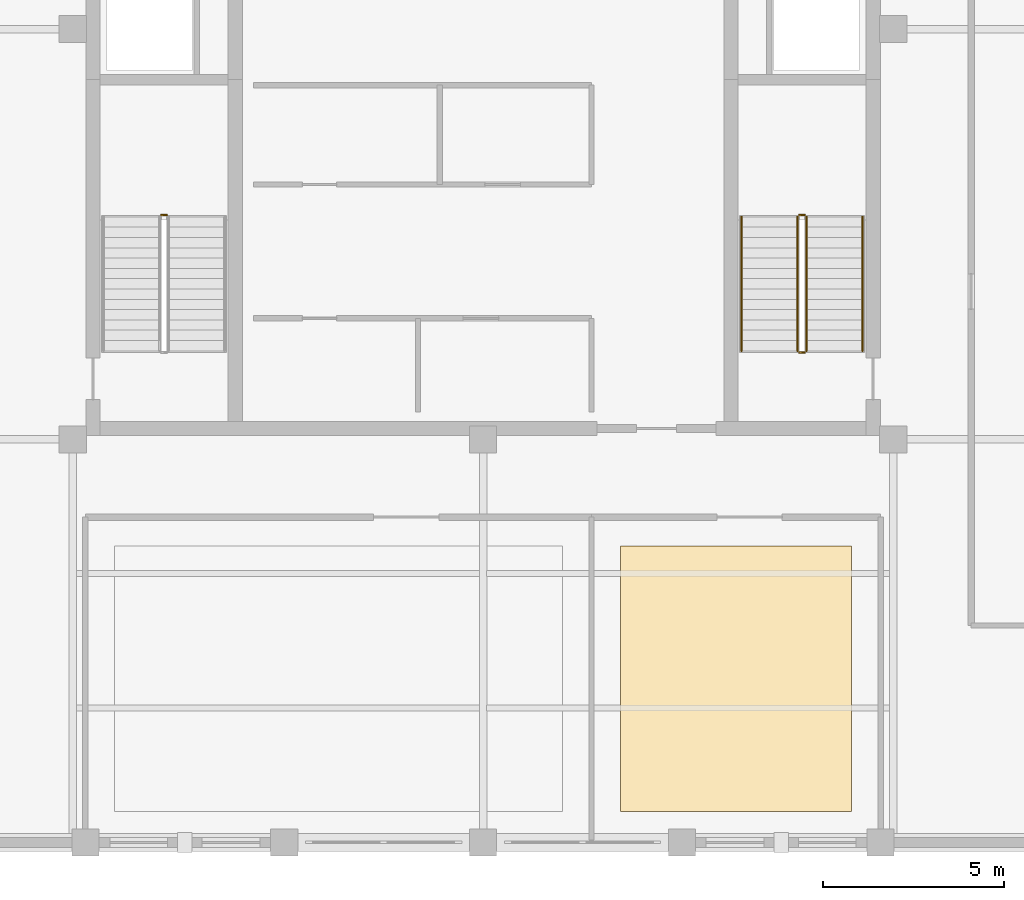
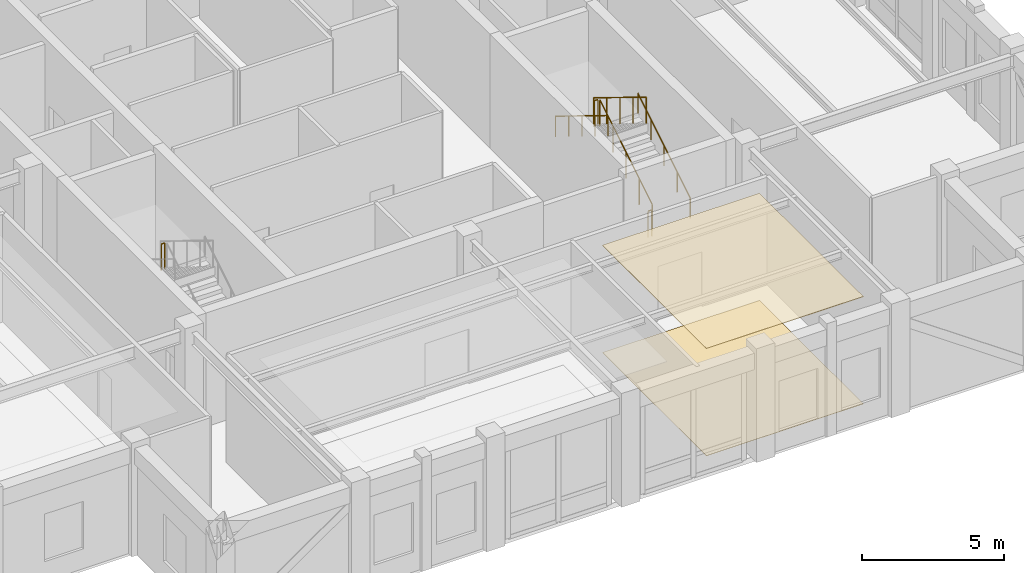
# One storey, part 12 of 13: 7 railings, 2 coverings.
"""IFC4 building model written with IfcOpenShell, lengths in metres."""

from ifc_helpers import new_model, si_unit, direction, frame, origin, origin_2d, place, context, subcontext, project, spatial, polyline, circle, outline, extrude, material, layer, layer_set, type_object, element, save


model = new_model("IFC4")

# Units and contexts
model_context = context("Model", 3, precision=1e-05, world=origin(), true_north=direction((0.0, 1.0)))
body_context = subcontext(model_context, "Body", "Model", "MODEL_VIEW")
ifc_project = project(units=[si_unit("LENGTHUNIT", "METRE"), si_unit("AREAUNIT", "SQUARE_METRE"), si_unit("VOLUMEUNIT", "CUBIC_METRE"), si_unit("PLANEANGLEUNIT", "RADIAN"), si_unit("MASSUNIT", "GRAM", prefix="KILO")], contexts=[model_context])

# Site, building, storey
site_placement = place(None, origin())
site = spatial("IfcSite", under=ifc_project, at=site_placement, CompositionType="ELEMENT")
building_placement = place(site_placement, origin())
building = spatial("IfcBuilding", under=site, at=building_placement, Name="Nhamokura Convention Tower", CompositionType="ELEMENT")
storey_placement = place(building_placement, frame((0.0, 0.0, 308.35009765625)))
storey = spatial("IfcBuildingStorey", under=building, at=storey_placement, Name="L76", CompositionType="ELEMENT", Elevation=308.35009765625)

# Covering
ifc_material_1 = material(Name="Mineral-fibre acoustic ceiling tile", Category="gypsum")
ifc_layer_1 = layer(ifc_material_1, 0.02490234375)
ifc_layer_set_1 = layer_set([ifc_layer_1], Name="AcousticTileCeiling_25")
covering_type_1 = type_object("IfcCoveringType", Name="AcousticTileCeiling_25", PredefinedType="CEILING", material=ifc_layer_set_1)
covering_1_placement = place(storey_placement, frame((0.0, 0.0, 4.614990234375)))
element("IfcCovering", 1, at=covering_1_placement, inside=storey, type_object=covering_type_1, Name="L76 Suspended Ceiling 02", PredefinedType="CEILING", context=body_context, shape_type="SweptSolid", body=[
    extrude(outline(polyline([(35.800048828125, 10.360107421875), (42.199951171875, 10.360107421875), (42.199951171875, 17.699951171875), (35.800048828125, 17.699951171875), (35.800048828125, 10.360107421875)])), origin(), (0.0, 0.0, 1.0), 0.02490234375),
])

# Railings
ifc_material_2 = material(Name="Anodised bronze stainless steel", Category="steel")
railing_type_1 = type_object("IfcRailingType", Name="StairWallHandrail_900", PredefinedType="HANDRAIL", material=ifc_material_2)
railing_1_placement = place(storey_placement, frame((42.5, 23.10009765625, 0.1748046875)))
element("IfcRailing", 2, at=railing_1_placement, inside=storey, type_object=railing_type_1, Name="L76 ST-02 stair handrail 1", PredefinedType="HANDRAIL", context=body_context, shape_type="SweptSolid", body=[
    extrude(circle(Radius=0.02392578125, at=origin_2d()), frame((0.0, 0.0, 0.8759765625), z_axis=(0.0, 0.852145745541, 0.523304527361), x_axis=(-1.0, 0.0, 0.0)), (0.0, 0.0, 1.0), 4.34765625),
    extrude(circle(Radius=0.02099609375, at=origin_2d()), origin(), (0.0, 0.0, 1.0), 0.851806640625),
    extrude(circle(Radius=0.02099609375, at=origin_2d()), frame((0.0, 0.92626953125, 0.56884765625)), (0.0, 0.0, 1.0), 0.851806640625),
    extrude(circle(Radius=0.02099609375, at=origin_2d()), frame((0.0, 1.8525390625, 1.1376953125)), (0.0, 0.0, 1.0), 0.851806640625),
    extrude(circle(Radius=0.02099609375, at=origin_2d()), frame((0.0, 2.778564453125, 1.706298828125)), (0.0, 0.0, 1.0), 0.851806640625),
    extrude(circle(Radius=0.02099609375, at=origin_2d()), frame((0.0, 3.704833984375, 2.275146484375)), (0.0, 0.0, 1.0), 0.851806640625),
])
railing_2_placement = place(storey_placement, frame((39.14990234375, 26.804931640625, 2.625)))
element("IfcRailing", 3, at=railing_2_placement, inside=storey, type_object=railing_type_1, Name="L76 ST-02 stair handrail 2", PredefinedType="HANDRAIL", context=body_context, shape_type="SweptSolid", body=[
    extrude(circle(Radius=0.02392578125, at=origin_2d()), frame((0.0, 0.0, 0.8759765625), z_axis=(0.0, -0.85217078641, 0.523263748782), x_axis=(1.0, 0.0, 0.0)), (0.0, 0.0, 1.0), 4.347412109375),
    extrude(circle(Radius=0.02099609375, at=origin_2d()), origin(), (0.0, 0.0, 1.0), 0.851806640625),
    extrude(circle(Radius=0.02099609375, at=origin_2d()), frame((0.0, -0.92626953125, 0.56884765625)), (0.0, 0.0, 1.0), 0.851806640625),
    extrude(circle(Radius=0.02099609375, at=origin_2d()), frame((0.0, -1.8525390625, 1.137451171875)), (0.0, 0.0, 1.0), 0.851806640625),
    extrude(circle(Radius=0.02099609375, at=origin_2d()), frame((0.0, -2.778564453125, 1.7060546875)), (0.0, 0.0, 1.0), 0.851806640625),
    extrude(circle(Radius=0.02099609375, at=origin_2d()), frame((0.0, -3.704833984375, 2.27490234375)), (0.0, 0.0, 1.0), 0.851806640625),
])
ifc_material_3 = material(Name="Painted tubular steel", Category="steel")
railing_type_2 = type_object("IfcRailingType", Name="StairWellGuardrail_1150", PredefinedType="GUARDRAIL", material=ifc_material_3)
railing_3_placement = place(storey_placement, frame((23.25, 26.85498046875, 2.449951171875)))
element("IfcRailing", 4, at=railing_3_placement, inside=storey, type_object=railing_type_2, Name="L76 ST-01 stair guard 2", PredefinedType="GUARDRAIL", context=body_context, shape_type="SweptSolid", body=[
    extrude(circle(Radius=0.02392578125, at=origin_2d()), frame((0.0, 0.0, 1.1259765625), z_axis=(-1.0, 0.0, 0.0), x_axis=(0.0, -1.0, 0.0)), (0.0, 0.0, 1.0), 0.14990234375),
    extrude(circle(Radius=0.02099609375, at=origin_2d()), origin(), (0.0, 0.0, 1.0), 1.101806640625),
    extrude(circle(Radius=0.02099609375, at=origin_2d()), frame((-0.14990234375, 0.0, 0.0)), (0.0, 0.0, 1.0), 1.101806640625),
])
railing_4_placement = place(storey_placement, frame((40.949951171875, 23.10009765625, 0.1748046875)))
element("IfcRailing", 5, at=railing_4_placement, inside=storey, type_object=railing_type_2, Name="L76 ST-02 stair guard 1", PredefinedType="GUARDRAIL", context=body_context, shape_type="SweptSolid", body=[
    extrude(circle(Radius=0.02392578125, at=origin_2d()), frame((0.0, 0.0, 1.1259765625), z_axis=(0.0, 0.852145745541, 0.523304527361), x_axis=(-1.0, 0.0, 0.0)), (0.0, 0.0, 1.0), 4.34765625),
    extrude(circle(Radius=0.02099609375, at=origin_2d()), origin(), (0.0, 0.0, 1.0), 1.101806640625),
    extrude(circle(Radius=0.02099609375, at=origin_2d()), frame((0.0, 0.92626953125, 0.56884765625)), (0.0, 0.0, 1.0), 1.101806640625),
    extrude(circle(Radius=0.02099609375, at=origin_2d()), frame((0.0, 1.8525390625, 1.1376953125)), (0.0, 0.0, 1.0), 1.101806640625),
    extrude(circle(Radius=0.02099609375, at=origin_2d()), frame((0.0, 2.778564453125, 1.706298828125)), (0.0, 0.0, 1.0), 1.101806640625),
    extrude(circle(Radius=0.02099609375, at=origin_2d()), frame((0.0, 3.704833984375, 2.275146484375)), (0.0, 0.0, 1.0), 1.101806640625),
])
railing_5_placement = place(storey_placement, frame((40.89990234375, 26.85498046875, 2.449951171875)))
element("IfcRailing", 6, at=railing_5_placement, inside=storey, type_object=railing_type_2, Name="L76 ST-02 stair guard 2", PredefinedType="GUARDRAIL", context=body_context, shape_type="SweptSolid", body=[
    extrude(circle(Radius=0.02392578125, at=origin_2d()), frame((0.0, 0.0, 1.1259765625), z_axis=(-1.0, 0.0, 0.0), x_axis=(0.0, -1.0, 0.0)), (0.0, 0.0, 1.0), 0.14990234375),
    extrude(circle(Radius=0.02099609375, at=origin_2d()), origin(), (0.0, 0.0, 1.0), 1.101806640625),
    extrude(circle(Radius=0.02099609375, at=origin_2d()), frame((-0.14990234375, 0.0, 0.0)), (0.0, 0.0, 1.0), 1.101806640625),
])
railing_6_placement = place(storey_placement, frame((40.699951171875, 26.804931640625, 2.625)))
element("IfcRailing", 7, at=railing_6_placement, inside=storey, type_object=railing_type_2, Name="L76 ST-02 stair guard 3", PredefinedType="GUARDRAIL", context=body_context, shape_type="SweptSolid", body=[
    extrude(circle(Radius=0.02392578125, at=origin_2d()), frame((0.0, 0.0, 1.1259765625), z_axis=(0.0, -0.85217078641, 0.523263748782), x_axis=(1.0, 0.0, 0.0)), (0.0, 0.0, 1.0), 4.347412109375),
    extrude(circle(Radius=0.02099609375, at=origin_2d()), origin(), (0.0, 0.0, 1.0), 1.101806640625),
    extrude(circle(Radius=0.02099609375, at=origin_2d()), frame((0.0, -0.92626953125, 0.56884765625)), (0.0, 0.0, 1.0), 1.101806640625),
    extrude(circle(Radius=0.02099609375, at=origin_2d()), frame((0.0, -1.8525390625, 1.137451171875)), (0.0, 0.0, 1.0), 1.101806640625),
    extrude(circle(Radius=0.02099609375, at=origin_2d()), frame((0.0, -2.778564453125, 1.7060546875)), (0.0, 0.0, 1.0), 1.101806640625),
    extrude(circle(Radius=0.02099609375, at=origin_2d()), frame((0.0, -3.704833984375, 2.27490234375)), (0.0, 0.0, 1.0), 1.101806640625),
])
railing_7_placement = place(storey_placement, frame((40.89990234375, 23.050048828125, 0.0)))
element("IfcRailing", 8, at=railing_7_placement, inside=storey, type_object=railing_type_2, Name="L76 ST-02 stair guard 4", PredefinedType="GUARDRAIL", context=body_context, shape_type="SweptSolid", body=[
    extrude(circle(Radius=0.02392578125, at=origin_2d()), frame((0.0, 0.0, 1.1259765625), z_axis=(-1.0, 0.0, 0.0), x_axis=(0.0, -1.0, 0.0)), (0.0, 0.0, 1.0), 0.14990234375),
    extrude(circle(Radius=0.02099609375, at=origin_2d()), origin(), (0.0, 0.0, 1.0), 1.101806640625),
    extrude(circle(Radius=0.02099609375, at=origin_2d()), frame((-0.14990234375, 0.0, 0.0)), (0.0, 0.0, 1.0), 1.101806640625),
])

# Covering
ifc_material_4 = material(Name="Acoustic woven hospitality carpet", Category="wood")
ifc_layer_2 = layer(ifc_material_4, 0.014892578125)
ifc_layer_set_2 = layer_set([ifc_layer_2], Name="WovenCarpetFlooring_15")
covering_type_2 = type_object("IfcCoveringType", Name="WovenCarpetFlooring_15", PredefinedType="FLOORING", material=ifc_layer_set_2)
covering_2_placement = place(storey_placement, origin())
element("IfcCovering", 9, at=covering_2_placement, inside=storey, type_object=covering_type_2, Name="L76 Finish Flooring 02", PredefinedType="FLOORING", context=body_context, shape_type="SweptSolid", body=[
    extrude(outline(polyline([(35.800048828125, 10.360107421875), (42.199951171875, 10.360107421875), (42.199951171875, 17.699951171875), (35.800048828125, 17.699951171875), (35.800048828125, 10.360107421875)])), origin(), (0.0, 0.0, 1.0), 0.014892578125),
])

save(model, "model.ifc")
